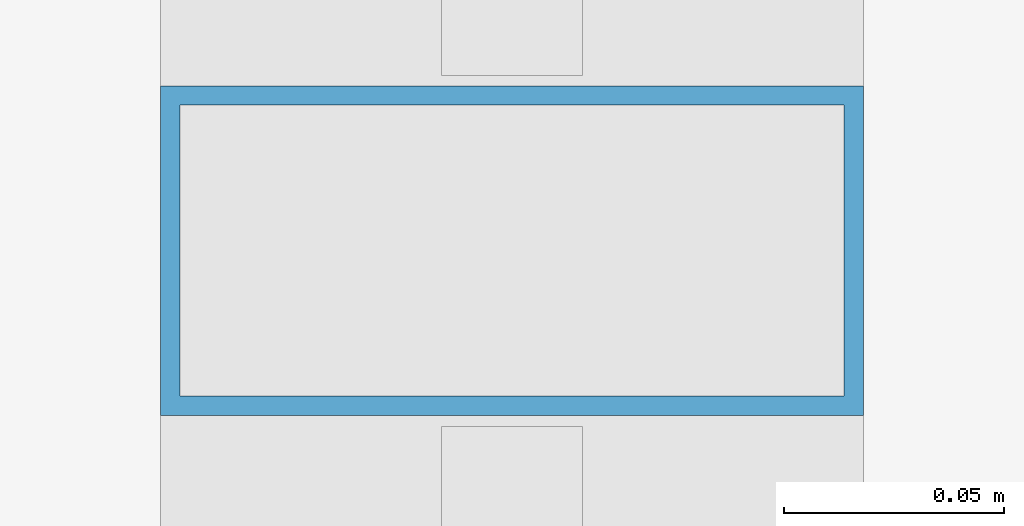
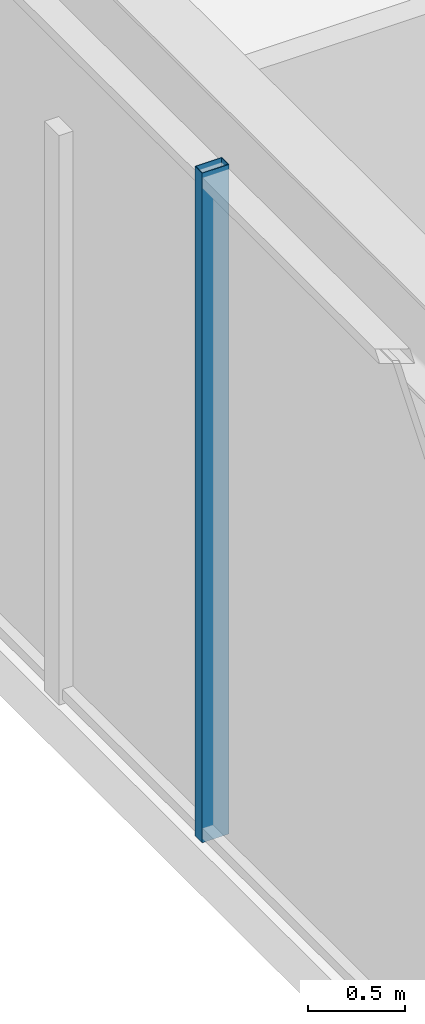
# One storey, part 6 of 47: 1 member, 1 element without a shape of its own.
"""IFC4 building model written with IfcOpenShell, lengths in metres."""

from ifc_helpers import new_model, si_unit, direction, frame, origin, origin_2d, place, context, subcontext, project, spatial, hollow_rectangle, extrude, material, material_profile, profile_set, type_object, element, aggregate, save


model = new_model("IFC4")

# Units and contexts
model_context = context("Model", 3, precision=1e-05, world=origin(), true_north=direction((0.0, 1.0)))
body_context = subcontext(model_context, "Body", "Model", "MODEL_VIEW")
ifc_project = project(units=[si_unit("LENGTHUNIT", "METRE"), si_unit("AREAUNIT", "SQUARE_METRE"), si_unit("VOLUMEUNIT", "CUBIC_METRE"), si_unit("PLANEANGLEUNIT", "RADIAN"), si_unit("MASSUNIT", "GRAM", prefix="KILO")], contexts=[model_context])

# Site, building, storey
site_placement = place(None, origin())
site = spatial("IfcSite", under=ifc_project, at=site_placement, CompositionType="ELEMENT")
building_placement = place(site_placement, origin())
building = spatial("IfcBuilding", under=site, at=building_placement, Name="Kolvaren Belvedere", CompositionType="ELEMENT")
storey_placement = place(building_placement, frame((0.0, 0.0, 5.5)))
storey = spatial("IfcBuildingStorey", under=building, at=storey_placement, Name="L02", CompositionType="ELEMENT", Elevation=5.5)

# Curtain wall, member
ifc_material_1 = material(Name="Anodised pale-metal aluminium AA 6063-T6", Category="aluminium")
curtain_wall_type = type_object("IfcCurtainWallType", Name="CW-POD-A", PredefinedType="NOTDEFINED", material=ifc_material_1)
curtain_wall_placement = place(storey_placement, origin())
curtain_wall = element("IfcCurtainWall", 1, at=curtain_wall_placement, inside=storey, type_object=curtain_wall_type, Name="L02 Unitised Curtain Wall FCW-L02-SEG8", PredefinedType="NOTDEFINED")
ifc_material_2 = material(Name="Anodised pale-metal aluminium AA 6063-T6", Category="aluminium")
ifc_material_profile = material_profile(ifc_material_2, hollow_rectangle(XDim=0.074951171875, YDim=0.159912109375, WallThickness=0.00439453125, at=origin_2d()), Name="ALU-MUL-160X75")
ifc_profile_set = profile_set([ifc_material_profile], Name="Anodised pale-metal aluminium AA 6063-T6")
member_type = type_object("IfcMemberType", Name="CW-MUL-160", PredefinedType="MULLION", material=ifc_profile_set)
member_placement = place(storey_placement, frame((-27.8798828125, -14.199951171875, 0.0), z_axis=(0.0, 0.0, 1.0), x_axis=(0.0, 1.0, 0.0)))
member = element("IfcMember", 2, at=member_placement, type_object=member_type, Name="FCW-L02-SEG8 Unitised Mullion 2", PredefinedType="MULLION", context=body_context, shape_type="SweptSolid", body=[
    extrude(hollow_rectangle(XDim=0.074951171875, YDim=0.159912109375, WallThickness=0.00439453125, at=origin_2d()), origin(), (0.0, 0.0, 1.0), 4.219970703125),
])
aggregate(curtain_wall, [member])

save(model, "model.ifc")
